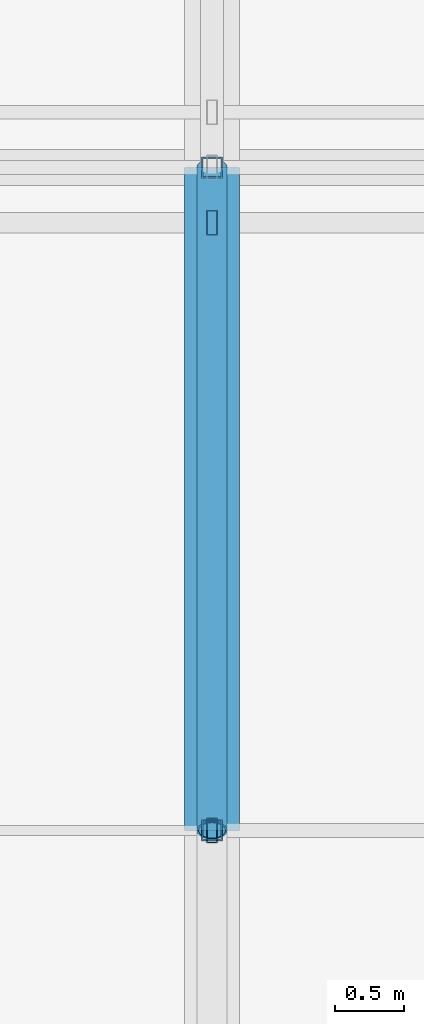
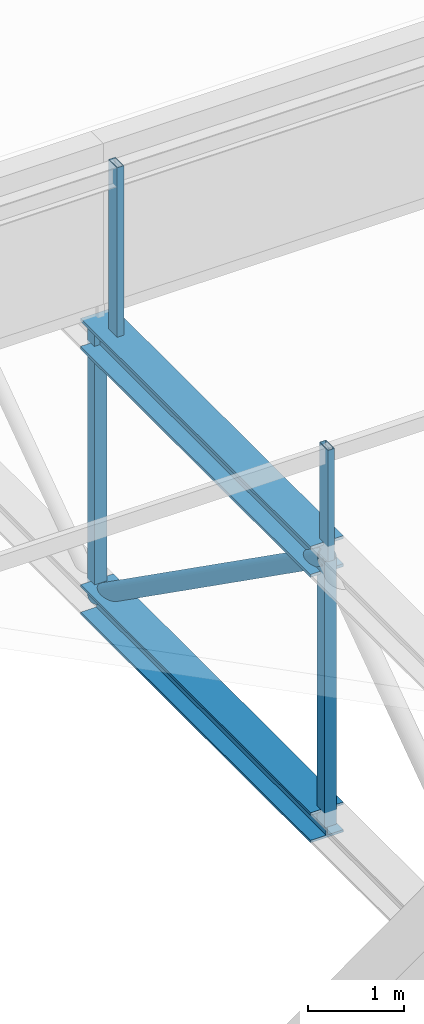
# One storey, part 61 of 136: 5 members, 2 beams.
"""IFC4 building model written with IfcOpenShell, lengths in metres."""

from ifc_helpers import new_model, si_unit, direction, frame, origin, origin_2d, place, context, subcontext, project, spatial, hollow_rectangle, hollow_circle, i_section, extrude, material, material_profile, profile_set, type_object, element, save


model = new_model("IFC4")

# Units and contexts
model_context = context("Model", 3, precision=1e-05, world=origin(), true_north=direction((0.0, 1.0)))
body_context = subcontext(model_context, "Body", "Model", "MODEL_VIEW")
ifc_project = project(units=[si_unit("LENGTHUNIT", "METRE"), si_unit("AREAUNIT", "SQUARE_METRE"), si_unit("VOLUMEUNIT", "CUBIC_METRE"), si_unit("PLANEANGLEUNIT", "RADIAN"), si_unit("MASSUNIT", "GRAM", prefix="KILO")], contexts=[model_context])

# Site, building, storey
site_placement = place(None, origin())
site = spatial("IfcSite", under=ifc_project, at=site_placement, CompositionType="ELEMENT")
building_placement = place(site_placement, origin())
building = spatial("IfcBuilding", under=site, at=building_placement, Name="Kisiwana Market Hall", CompositionType="ELEMENT")
storey_placement = place(building_placement, frame((0.0, 0.0, 16.800048828125)))
storey = spatial("IfcBuildingStorey", under=building, at=storey_placement, Name="L03", CompositionType="ELEMENT", Elevation=16.800048828125)

# Beams
ifc_material_1 = material(Name="Steel S355", Category="steel")
ifc_material_profile_1 = material_profile(ifc_material_1, i_section(OverallWidth=0.394775390625, OverallDepth=0.381103515625, WebThickness=0.018310546875, FlangeThickness=0.0302734375, at=origin_2d()), Name="UC 356x406x235")
ifc_profile_set_1 = profile_set([ifc_material_profile_1], Name="Steel S355")
beam_type_1 = type_object("IfcBeamType", Name="BM-TRUSS-BOT", PredefinedType="USERDEFINED", material=ifc_profile_set_1)
beam_1_placement = place(storey_placement, frame((135.0, 40.800048828125, 0.22998046875), z_axis=(0.0, 1.0, 0.0), x_axis=(-1.0, 0.0, 0.0)))
element("IfcBeam", 1, at=beam_1_placement, inside=storey, type_object=beam_type_1, Name="TR-07 BC panel 2 B-1299", ObjectType="ROOF TRUSS", PredefinedType="USERDEFINED", context=body_context, shape_type="SweptSolid", body=[
    extrude(i_section(OverallWidth=0.394775390625, OverallDepth=0.381103515625, WebThickness=0.018310546875, FlangeThickness=0.0302734375, at=origin_2d()), origin(), (0.0, 0.0, 1.0), 4.800048828125),
])
ifc_material_2 = material(Name="Steel S355", Category="steel")
ifc_material_profile_2 = material_profile(ifc_material_2, i_section(OverallWidth=0.39892578125, OverallDepth=0.3935546875, WebThickness=0.022705078125, FlangeThickness=0.03662109375, at=origin_2d()), Name="UC 356x406x287")
ifc_profile_set_2 = profile_set([ifc_material_profile_2], Name="Steel S355")
beam_type_2 = type_object("IfcBeamType", Name="BM-TRUSS-TOP", PredefinedType="USERDEFINED", material=ifc_profile_set_2)
beam_2_placement = place(storey_placement, frame((135.0, 40.800048828125, 3.619873046875), z_axis=(0.0, 1.0, 0.0), x_axis=(-1.0, 0.0, 0.0)))
element("IfcBeam", 2, at=beam_2_placement, inside=storey, type_object=beam_type_2, Name="TR-07 TC panel 2 B-1309", ObjectType="ROOF TRUSS", PredefinedType="USERDEFINED", context=body_context, shape_type="SweptSolid", body=[
    extrude(i_section(OverallWidth=0.39892578125, OverallDepth=0.3935546875, WebThickness=0.022705078125, FlangeThickness=0.03662109375, at=origin_2d()), origin(), (0.0, 0.0, 1.0), 4.800048828125),
])

# Members
ifc_material_3 = material(Name="Steel S355", Category="steel")
ifc_material_profile_3 = material_profile(ifc_material_3, hollow_rectangle(XDim=0.080078125, YDim=0.179931640625, WallThickness=0.00634765625, at=origin_2d()), Name="RHS 180x80x6.3")
ifc_profile_set_3 = profile_set([ifc_material_profile_3], Name="Steel S355")
member_type_1 = type_object("IfcMemberType", Name="MB-CAN-STRUT", PredefinedType="STRUT", material=ifc_profile_set_3)
member_1_placement = place(storey_placement, frame((135.0, 45.199951171875, 3.619873046875), z_axis=(0.0, 0.0, 1.0), x_axis=(1.0, 0.0, 0.0)))
element("IfcMember", 3, at=member_1_placement, inside=storey, type_object=member_type_1, Name="Sawtooth raker post 172 M-0243", PredefinedType="STRUT", context=body_context, shape_type="SweptSolid", body=[
    extrude(hollow_rectangle(XDim=0.080078125, YDim=0.179931640625, WallThickness=0.00634765625, at=origin_2d()), origin(), (0.0, 0.0, 1.0), 2.355712890625),
])
member_2_placement = place(storey_placement, frame((135.0, 40.800048828125, 3.619873046875), z_axis=(0.0, 0.0, 1.0), x_axis=(1.0, 0.0, 0.0)))
element("IfcMember", 4, at=member_2_placement, inside=storey, type_object=member_type_1, Name="Sawtooth mid-slope raker post 7 M-0059", PredefinedType="STRUT", context=body_context, shape_type="SweptSolid", body=[
    extrude(hollow_rectangle(XDim=0.080078125, YDim=0.179931640625, WallThickness=0.00634765625, at=origin_2d()), origin(), (0.0, 0.0, 1.0), 1.42041015625),
])
ifc_material_4 = material(Name="Steel S355", Category="steel")
ifc_material_profile_4 = material_profile(ifc_material_4, hollow_circle(Radius=0.109619140625, WallThickness=0.012451171875, at=origin_2d()), Name="CHS 219.1x12.5")
ifc_profile_set_4 = profile_set([ifc_material_profile_4], Name="Steel S355")
member_type_2 = type_object("IfcMemberType", Name="MB-TR-DIAG219", PredefinedType="BRACE", material=ifc_profile_set_4)
member_3_placement = place(storey_placement, frame((135.0, 40.800048828125, 3.619873046875), z_axis=(0.0, 0.816837735077, -0.576867501732), x_axis=(-1.0, 0.0, 0.0)))
element("IfcMember", 5, at=member_3_placement, inside=storey, type_object=member_type_2, Name="TR-07 diagonal 2 M-0451", PredefinedType="BRACE", context=body_context, shape_type="SweptSolid", body=[
    extrude(hollow_circle(Radius=0.109619140625, WallThickness=0.012451171875, at=origin_2d()), origin(), (0.0, 0.0, 1.0), 5.87646484375),
])
ifc_material_5 = material(Name="Steel S355", Category="steel")
ifc_material_profile_5 = material_profile(ifc_material_5, hollow_rectangle(XDim=0.14990234375, YDim=0.14990234375, WallThickness=0.008056640625, at=origin_2d()), Name="SHS 150x150x8.0")
ifc_profile_set_5 = profile_set([ifc_material_profile_5], Name="Steel S355")
member_type_3 = type_object("IfcMemberType", Name="MB-TR-STRUT200", PredefinedType="STRUT", material=ifc_profile_set_5)
for number, where, z_axis, x_axis, name in (
    (6, (135.0, 40.800048828125, 0.22998046875), (0.0, 0.0, 1.0), (1.0, 0.0, 0.0), "TR-07 vertical strut 2 M-0460"),
    (7, (135.0, 45.60009765625, 0.22998046875), (0.0, 0.0, 1.0), (1.0, 0.0, 0.0), "TR-07 vertical strut 3 M-0461"),
):
    element("IfcMember", number, at=place(storey_placement, frame(where, z_axis=z_axis, x_axis=x_axis)), inside=storey, type_object=member_type_3, Name=name, PredefinedType="STRUT", context=body_context, shape_type="SweptSolid", body=[
        extrude(hollow_rectangle(XDim=0.14990234375, YDim=0.14990234375, WallThickness=0.008056640625, at=origin_2d()), origin(), (0.0, 0.0, 1.0), 3.389892578125),
    ])

save(model, "model.ifc")
